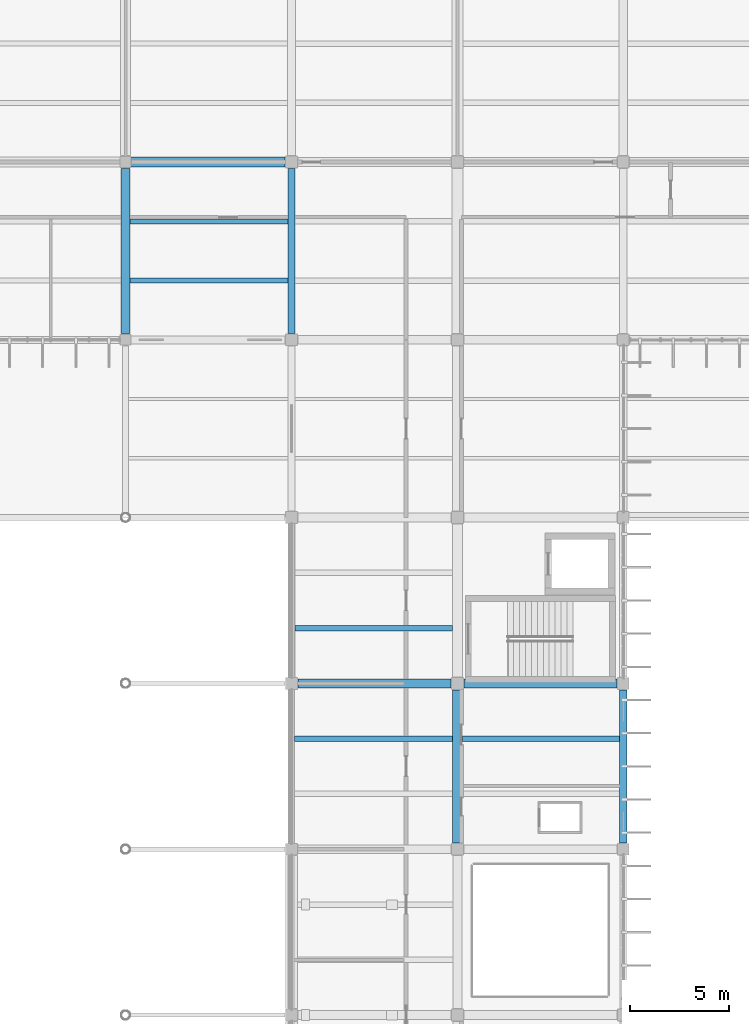
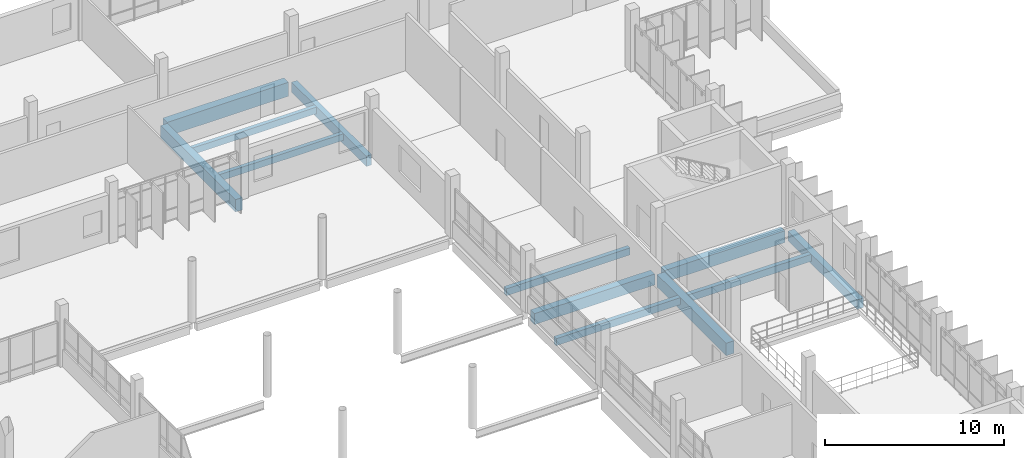
# One storey, part 71 of 130: 12 beams.
"""IFC4 building model written with IfcOpenShell, lengths in metres."""

from ifc_helpers import new_model, si_unit, direction, frame, origin, origin_2d, place, context, subcontext, project, spatial, rectangle, extrude, material, material_profile, profile_set, type_object, element, save


model = new_model("IFC4")

# Units and contexts
model_context = context("Model", 3, precision=1e-05, world=origin(), true_north=direction((0.0, 1.0)))
body_context = subcontext(model_context, "Body", "Model", "MODEL_VIEW")
ifc_project = project(units=[si_unit("LENGTHUNIT", "METRE"), si_unit("AREAUNIT", "SQUARE_METRE"), si_unit("VOLUMEUNIT", "CUBIC_METRE"), si_unit("PLANEANGLEUNIT", "RADIAN"), si_unit("MASSUNIT", "GRAM", prefix="KILO")], contexts=[model_context])

# Site, building, storey
site_placement = place(None, origin())
site = spatial("IfcSite", under=ifc_project, at=site_placement, CompositionType="ELEMENT")
building_placement = place(site_placement, origin())
building = spatial("IfcBuilding", under=site, at=building_placement, Name="Vireocrest Preparatory School", CompositionType="ELEMENT")
storey_placement = place(building_placement, frame((0.0, 0.0, 9.0)))
storey = spatial("IfcBuildingStorey", under=building, at=storey_placement, Name="L02", CompositionType="ELEMENT", Elevation=9.0)

# Beams
ifc_material = material(Name="Concrete 40 MPa", Category="concrete")
ifc_material_profile_1 = material_profile(ifc_material, rectangle(XDim=0.5, YDim=0.949951171875, at=origin_2d()), Name="RC 500x950")
ifc_profile_set_1 = profile_set([ifc_material_profile_1], Name="Concrete 40 MPa")
beam_type_1 = type_object("IfcBeamType", Name="RC Basement Ceiling Girder 500x950", PredefinedType="BEAM", material=ifc_profile_set_1)
beam_1_placement = place(storey_placement, frame((84.25, 103.800048828125, -0.7548828125), z_axis=(1.0, 0.0, 0.0), x_axis=(0.0, 1.0, 0.0)))
element("IfcBeam", 1, at=beam_1_placement, inside=storey, type_object=beam_type_1, Name="Primary Girder B16 L02-0770", PredefinedType="BEAM", context=body_context, shape_type="SweptSolid", body=[
    extrude(rectangle(XDim=0.5, YDim=0.949951171875, at=origin_2d()), origin(), (0.0, 0.0, 1.0), 7.824951171875),
])
ifc_material_profile_2 = material_profile(ifc_material, rectangle(XDim=0.449951171875, YDim=0.85009765625, at=origin_2d()), Name="RC 450x850")
ifc_profile_set_2 = profile_set([ifc_material_profile_2], Name="Concrete 40 MPa")
beam_type_2 = type_object("IfcBeamType", Name="RC Heavy Floor Girder 450x850", PredefinedType="BEAM", material=ifc_profile_set_2)
beam_2_placement = place(storey_placement, frame((84.0, 95.125, -0.705078125), z_axis=(0.0, 1.0, 0.0), x_axis=(-1.0, 0.0, 0.0)))
element("IfcBeam", 2, at=beam_2_placement, inside=storey, type_object=beam_type_2, Name="Primary Girder B13 L02-0834", PredefinedType="BEAM", context=body_context, shape_type="SweptSolid", body=[
    extrude(rectangle(XDim=0.449951171875, YDim=0.85009765625, at=origin_2d()), origin(), (0.0, 0.0, 1.0), 8.35009765625),
])
ifc_material_profile_3 = material_profile(ifc_material, rectangle(XDim=0.35009765625, YDim=0.699951171875, at=origin_2d()), Name="RC 350x700")
ifc_profile_set_3 = profile_set([ifc_material_profile_3], Name="Concrete 40 MPa")
beam_type_3 = type_object("IfcBeamType", Name="RC Laboratory Girder 350x700", PredefinedType="BEAM", material=ifc_profile_set_3)
beam_3_placement = place(storey_placement, frame((92.39990234375, 95.125, -0.6298828125), z_axis=(0.0, 1.0, 0.0), x_axis=(-1.0, 0.0, 0.0)))
element("IfcBeam", 3, at=beam_3_placement, inside=storey, type_object=beam_type_3, Name="Primary Girder B06 L02-0845", PredefinedType="BEAM", context=body_context, shape_type="SweptSolid", body=[
    extrude(rectangle(XDim=0.35009765625, YDim=0.699951171875, at=origin_2d()), origin(), (0.0, 0.0, 1.0), 8.35009765625),
])
ifc_material_profile_4 = material_profile(ifc_material, rectangle(XDim=0.39990234375, YDim=0.64990234375, at=origin_2d()), Name="RC 400x650")
ifc_profile_set_4 = profile_set([ifc_material_profile_4], Name="Concrete 40 MPa")
beam_type_4 = type_object("IfcBeamType", Name="RC Laboratory Girder 400x650", PredefinedType="BEAM", material=ifc_profile_set_4)
beam_4_placement = place(storey_placement, frame((109.199951171875, 69.324951171875, -0.625), z_axis=(0.0, 1.0, 0.0), x_axis=(-1.0, 0.0, 0.0)))
element("IfcBeam", 4, at=beam_4_placement, inside=storey, type_object=beam_type_4, Name="Primary Girder B07 L02-0864", PredefinedType="BEAM", context=body_context, shape_type="SweptSolid", body=[
    extrude(rectangle(XDim=0.39990234375, YDim=0.64990234375, at=origin_2d()), origin(), (0.0, 0.0, 1.0), 7.75),
])
ifc_material_profile_5 = material_profile(ifc_material, rectangle(XDim=0.449951171875, YDim=0.75, at=origin_2d()), Name="RC 450x750")
ifc_profile_set_5 = profile_set([ifc_material_profile_5], Name="Concrete 40 MPa")
beam_type_5 = type_object("IfcBeamType", Name="RC Library Stack Girder 450x750", PredefinedType="BEAM", material=ifc_profile_set_5)
beam_5_placement = place(storey_placement, frame((92.72509765625, 77.39990234375, -0.675048828125), z_axis=(1.0, 0.0, 0.0), x_axis=(0.0, 1.0, 0.0)))
element("IfcBeam", 5, at=beam_5_placement, inside=storey, type_object=beam_type_5, Name="Primary Girder B11 L02-0745", PredefinedType="BEAM", context=body_context, shape_type="SweptSolid", body=[
    extrude(rectangle(XDim=0.449951171875, YDim=0.75, at=origin_2d()), origin(), (0.0, 0.0, 1.0), 7.75),
])
ifc_material_profile_6 = material_profile(ifc_material, rectangle(XDim=0.449951171875, YDim=0.800048828125, at=origin_2d()), Name="RC 450x800")
ifc_profile_set_6 = profile_set([ifc_material_profile_6], Name="Concrete 40 MPa")
beam_type_6 = type_object("IfcBeamType", Name="RC Library Stack Girder 450x800", PredefinedType="BEAM", material=ifc_profile_set_6)
beam_6_placement = place(storey_placement, frame((101.125, 77.39990234375, -0.699951171875), z_axis=(1.0, 0.0, 0.0), x_axis=(0.0, 1.0, 0.0)))
element("IfcBeam", 6, at=beam_6_placement, inside=storey, type_object=beam_type_6, Name="Primary Girder B12 L02-0746", PredefinedType="BEAM", context=body_context, shape_type="SweptSolid", body=[
    extrude(rectangle(XDim=0.449951171875, YDim=0.800048828125, at=origin_2d()), origin(), (0.0, 0.0, 1.0), 7.75),
])
ifc_material_profile_7 = material_profile(ifc_material, rectangle(XDim=0.5, YDim=0.85009765625, at=origin_2d()), Name="RC 500x850")
ifc_profile_set_7 = profile_set([ifc_material_profile_7], Name="Concrete 40 MPa")
beam_type_7 = type_object("IfcBeamType", Name="RC Podium Girder 500x850", PredefinedType="BEAM", material=ifc_profile_set_7)
beam_7_placement = place(storey_placement, frame((100.800048828125, 69.324951171875, -0.72509765625), z_axis=(0.0, 1.0, 0.0), x_axis=(-1.0, 0.0, 0.0)))
element("IfcBeam", 7, at=beam_7_placement, inside=storey, type_object=beam_type_7, Name="Primary Girder B14 L02-0853", PredefinedType="BEAM", context=body_context, shape_type="SweptSolid", body=[
    extrude(rectangle(XDim=0.5, YDim=0.85009765625, at=origin_2d()), origin(), (0.0, 0.0, 1.0), 7.75),
])
ifc_material_profile_8 = material_profile(ifc_material, rectangle(XDim=0.25, YDim=0.449951171875, at=origin_2d()), Name="RC 250x450")
ifc_profile_set_8 = profile_set([ifc_material_profile_8], Name="Concrete 40 MPa")
beam_type_8 = type_object("IfcBeamType", Name="RC Secondary Floor Joist 250x450", PredefinedType="JOIST", material=ifc_profile_set_8)
for number, where, z_axis, x_axis, name in (
    (8, (84.22509765625, 97.800048828125, -0.5048828125), (1.0, 0.0, 0.0), (0.0, 1.0, 0.0), "Secondary Joist J01 L02-0962"),
    (9, (84.22509765625, 100.800048828125, -0.5048828125), (1.0, 0.0, 0.0), (0.0, 1.0, 0.0), "Secondary Joist J01 L02-0963"),
):
    element("IfcBeam", number, at=place(storey_placement, frame(where, z_axis=z_axis, x_axis=x_axis)), inside=storey, type_object=beam_type_8, Name=name, PredefinedType="JOIST", context=body_context, shape_type="SweptSolid", body=[
        extrude(rectangle(XDim=0.25, YDim=0.449951171875, at=origin_2d()), origin(), (0.0, 0.0, 1.0), 8.0),
    ])
ifc_material_profile_9 = material_profile(ifc_material, rectangle(XDim=0.280029296875, YDim=0.47998046875, at=origin_2d()), Name="RC 280x480")
ifc_profile_set_9 = profile_set([ifc_material_profile_9], Name="Concrete 40 MPa")
beam_type_9 = type_object("IfcBeamType", Name="RC Secondary Lab Joist 280x480", PredefinedType="JOIST", material=ifc_profile_set_9)
beam_8_placement = place(storey_placement, frame((92.550048828125, 74.60009765625, -0.5400390625), z_axis=(1.0, 0.0, 0.0), x_axis=(0.0, 1.0, 0.0)))
element("IfcBeam", 10, at=beam_8_placement, inside=storey, type_object=beam_type_9, Name="Secondary Joist J02 L02-0979", PredefinedType="JOIST", context=body_context, shape_type="SweptSolid", body=[
    extrude(rectangle(XDim=0.280029296875, YDim=0.47998046875, at=origin_2d()), origin(), (0.0, 0.0, 1.0), 8.0),
])
beam_9_placement = place(storey_placement, frame((92.574951171875, 80.199951171875, -0.5400390625), z_axis=(1.0, 0.0, 0.0), x_axis=(0.0, 1.0, 0.0)))
element("IfcBeam", 11, at=beam_9_placement, inside=storey, type_object=beam_type_9, Name="Secondary Joist J02 L02-0980", PredefinedType="JOIST", context=body_context, shape_type="SweptSolid", body=[
    extrude(rectangle(XDim=0.280029296875, YDim=0.47998046875, at=origin_2d()), origin(), (0.0, 0.0, 1.0), 7.97509765625),
])
beam_10_placement = place(storey_placement, frame((101.050048828125, 74.60009765625, -0.5400390625), z_axis=(1.0, 0.0, 0.0), x_axis=(0.0, 1.0, 0.0)))
element("IfcBeam", 12, at=beam_10_placement, inside=storey, type_object=beam_type_9, Name="Secondary Joist J02 L02-0997", PredefinedType="JOIST", context=body_context, shape_type="SweptSolid", body=[
    extrude(rectangle(XDim=0.280029296875, YDim=0.47998046875, at=origin_2d()), origin(), (0.0, 0.0, 1.0), 7.949951171875),
])

save(model, "model.ifc")
